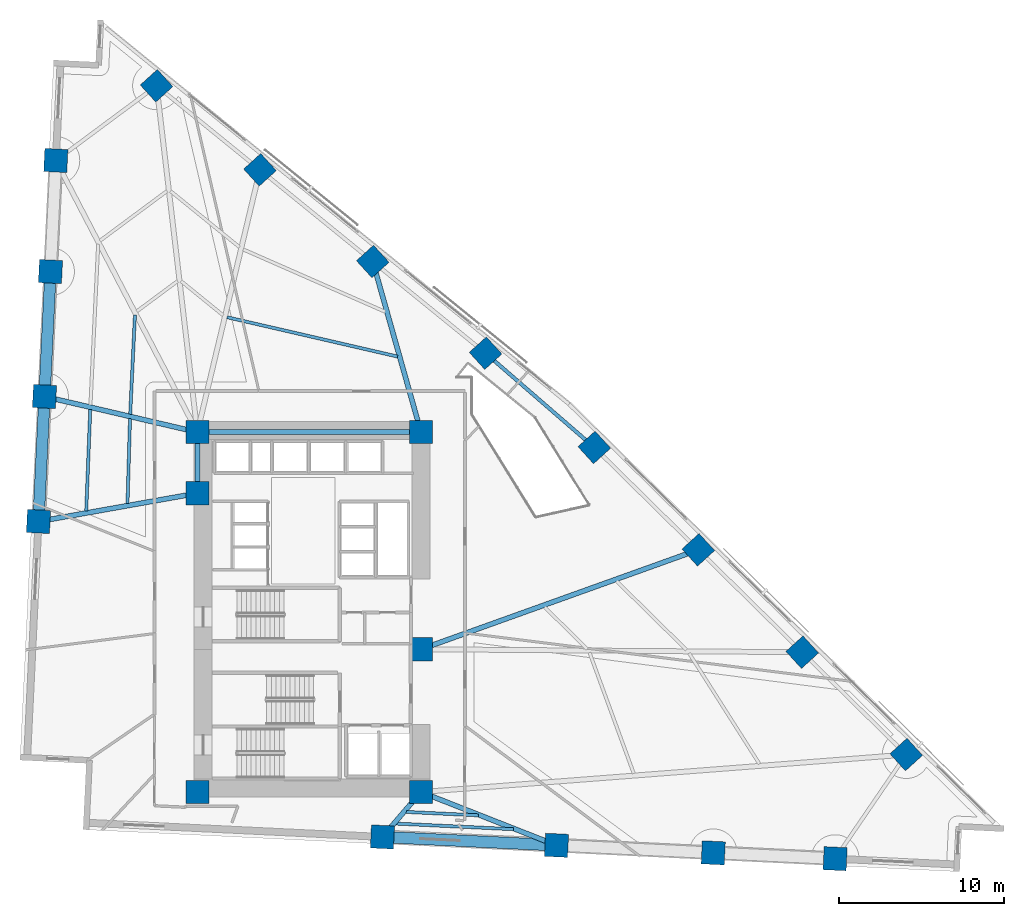
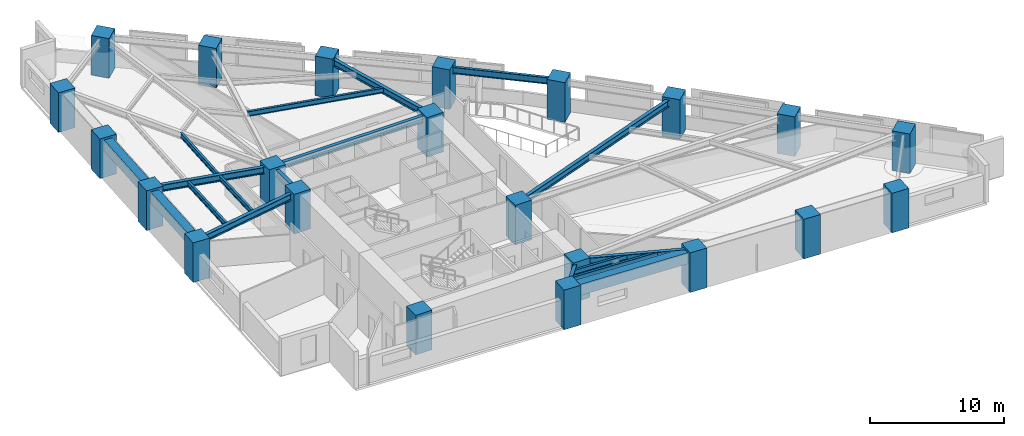
# One storey, part 1 of 17: 22 columns, 18 beams.
"""IFC4 building model written with IfcOpenShell, lengths in metres."""

from ifc_helpers import new_model, si_unit, direction, frame, origin, origin_2d, place, context, subcontext, project, spatial, rectangle, i_section, extrude, material, material_profile, profile_set, type_object, element, save


model = new_model("IFC4")

# Units and contexts
model_context = context("Model", 3, precision=1e-05, world=origin(), true_north=direction((0.0, 1.0)))
body_context = subcontext(model_context, "Body", "Model", "MODEL_VIEW")
ifc_project = project(units=[si_unit("LENGTHUNIT", "METRE"), si_unit("AREAUNIT", "SQUARE_METRE"), si_unit("VOLUMEUNIT", "CUBIC_METRE"), si_unit("PLANEANGLEUNIT", "RADIAN"), si_unit("MASSUNIT", "GRAM", prefix="KILO")], contexts=[model_context])

# Site, building, storey
site_placement = place(None, origin())
site = spatial("IfcSite", under=ifc_project, at=site_placement, CompositionType="ELEMENT")
building_placement = place(site_placement, origin())
building = spatial("IfcBuilding", under=site, at=building_placement, Name="Narakoshi Arena Tower", CompositionType="ELEMENT")
storey_placement = place(building_placement, frame((0.0, 0.0, 51.89990234375)))
storey = spatial("IfcBuildingStorey", under=building, at=storey_placement, Name="L13", CompositionType="ELEMENT", Elevation=51.89990234375)

# Columns
ifc_material_1 = material(Name="Concrete C60/75", Category="concrete")
ifc_material_profile_1 = material_profile(ifc_material_1, rectangle(XDim=1.39990234375, YDim=1.39990234375, at=origin_2d()), Name="RC1400x1400")
ifc_profile_set_1 = profile_set([ifc_material_profile_1], Name="Concrete C60/75")
column_type = type_object("IfcColumnType", Name="COL-RC1400", PredefinedType="COLUMN", material=ifc_profile_set_1)
for number, where, z_axis, x_axis, name in (
    (1, (72.0, 34.699951171875, 0.0), (0.0, 0.0, 1.0), (1.0, 0.0, 0.0), "L13 Core Structural Column CC1"),
    (2, (85.550048828125, 34.699951171875, 0.0), (0.0, 0.0, 1.0), (1.0, 0.0, 0.0), "L13 Core Structural Column CC2"),
    (3, (85.550048828125, 43.35009765625, 0.0), (0.0, 0.0, 1.0), (1.0, 0.0, 0.0), "L13 Core Structural Column CC3"),
    (4, (72.0, 52.800048828125, 0.0), (0.0, 0.0, 1.0), (1.0, 0.0, 0.0), "L13 Core Structural Column CC4"),
    (5, (72.0, 56.5, 0.0), (0.0, 0.0, 1.0), (1.0, 0.0, 0.0), "L13 Core Structural Column CC5"),
    (6, (85.550048828125, 56.5, 0.0), (0.0, 0.0, 1.0), (1.0, 0.0, 0.0), "L13 Core Structural Column CC6"),
    (7, (83.2119140625, 31.979248046875, 0.0), (0.0, 0.0, 1.0), (-0.998848386485, 0.047978128521, 0.0), "L13 Tower Perimeter Column TC01"),
    (8, (93.760009765625, 31.472412109375, 0.0), (0.0, 0.0, 1.0), (-0.998848386485, 0.047978128521, 0.0), "L13 Tower Perimeter Column TC02"),
    (9, (103.2529296875, 31.0166015625, 0.0), (0.0, 0.0, 1.0), (-0.998848386485, 0.047978128521, 0.0), "L13 Tower Perimeter Column TC03"),
    (10, (110.636474609375, 30.661865234375, 0.0), (0.0, 0.0, 1.0), (-0.998848386485, 0.047978128521, 0.0), "L13 Tower Perimeter Column TC04"),
    (11, (114.942138671875, 36.969970703125, 0.0), (0.0, 0.0, 1.0), (0.740218127487, 0.672366807435, 0.0), "L13 Tower Perimeter Column TC05"),
    (12, (108.643798828125, 43.171875, 0.0), (0.0, 0.0, 1.0), (0.740218127487, 0.672366807435, 0.0), "L13 Tower Perimeter Column TC06"),
    (13, (102.345458984375, 49.373779296875, 0.0), (0.0, 0.0, 1.0), (0.740218127487, 0.672366807435, 0.0), "L13 Tower Perimeter Column TC07"),
    (14, (96.047119140625, 55.57568359375, 0.0), (0.0, 0.0, 1.0), (0.740218127487, 0.672366807435, 0.0), "L13 Tower Perimeter Column TC08"),
    (15, (89.459716796875, 61.28515625, 0.0), (0.0, 0.0, 1.0), (0.740218127487, 0.672366807435, 0.0), "L13 Tower Perimeter Column TC09"),
    (16, (82.626953125, 66.838623046875, 0.0), (0.0, 0.0, 1.0), (0.740218127487, 0.672366807435, 0.0), "L13 Tower Perimeter Column TC10"),
    (17, (75.794189453125, 72.392333984375, 0.0), (0.0, 0.0, 1.0), (0.740218127487, 0.672366807435, 0.0), "L13 Tower Perimeter Column TC11"),
    (18, (69.531005859375, 77.483154296875, 0.0), (0.0, 0.0, 1.0), (0.740218127487, 0.672366807435, 0.0), "L13 Tower Perimeter Column TC12"),
    (19, (63.42822265625, 72.95654296875, 0.0), (0.0, 0.0, 1.0), (0.047978128521, 0.998848386485, 0.0), "L13 Tower Perimeter Column TC13"),
    (20, (63.10498046875, 66.228271484375, 0.0), (0.0, 0.0, 1.0), (0.047978128521, 0.998848386485, 0.0), "L13 Tower Perimeter Column TC14"),
    (21, (62.74169921875, 58.658935546875, 0.0), (0.0, 0.0, 1.0), (0.047978128521, 0.998848386485, 0.0), "L13 Tower Perimeter Column TC15"),
    (22, (62.3779296875, 51.08984375, 0.0), (0.0, 0.0, 1.0), (0.047978128521, 0.998848386485, 0.0), "L13 Tower Perimeter Column TC16"),
):
    element("IfcColumn", number, at=place(storey_placement, frame(where, z_axis=z_axis, x_axis=x_axis)), inside=storey, type_object=column_type, Name=name, PredefinedType="COLUMN", context=body_context, shape_type="SweptSolid", body=[
        extrude(rectangle(XDim=1.39990234375, YDim=1.39990234375, at=origin_2d()), origin(), (0.0, 0.0, 1.0), 3.60009765625),
    ])

# Beams
ifc_material_profile_2 = material_profile(ifc_material_1, rectangle(XDim=0.699951171875, YDim=1.0, at=origin_2d()), Name="RCB700x1000")
ifc_profile_set_2 = profile_set([ifc_material_profile_2], Name="Concrete C60/75")
beam_type_1 = type_object("IfcBeamType", Name="BM-CPL-1000", PredefinedType="BEAM", material=ifc_profile_set_2)
beam_1_placement = place(storey_placement, frame((83.2119140625, 31.979248046875, 2.900146484375), z_axis=(0.998847594152, -0.047994621119, 0.0), x_axis=(0.047994621119, 0.998847594152, 0.0)))
element("IfcBeam", 23, at=beam_1_placement, inside=storey, type_object=beam_type_1, Name="L13 Perimeter Edge Girder 01", PredefinedType="BEAM", context=body_context, shape_type="SweptSolid", body=[
    extrude(rectangle(XDim=0.699951171875, YDim=1.0, at=origin_2d()), origin(), (0.0, 0.0, 1.0), 10.560302734375),
])
beam_2_placement = place(storey_placement, frame((63.10498046875, 66.228271484375, 2.900146484375), z_axis=(-0.047938627957, -0.99885028305, 0.0), x_axis=(0.99885028305, -0.047938627957, 0.0)))
element("IfcBeam", 24, at=beam_2_placement, inside=storey, type_object=beam_type_1, Name="L13 Perimeter Edge Girder 14", PredefinedType="BEAM", context=body_context, shape_type="SweptSolid", body=[
    extrude(rectangle(XDim=0.699951171875, YDim=1.0, at=origin_2d()), origin(), (0.0, 0.0, 1.0), 7.578125),
])
beam_3_placement = place(storey_placement, frame((62.74169921875, 58.658935546875, 2.900146484375), z_axis=(-0.048004457986, -0.998847121442, 0.0), x_axis=(0.998847121442, -0.048004457986, 0.0)))
element("IfcBeam", 25, at=beam_3_placement, inside=storey, type_object=beam_type_1, Name="L13 Perimeter Edge Girder 15", PredefinedType="BEAM", context=body_context, shape_type="SweptSolid", body=[
    extrude(rectangle(XDim=0.699951171875, YDim=1.0, at=origin_2d()), origin(), (0.0, 0.0, 1.0), 7.577880859375),
])
ifc_material_2 = material(Name="Structural steel S355J2", Category="steel")
ifc_material_profile_3 = material_profile(ifc_material_2, i_section(OverallWidth=0.219970703125, OverallDepth=0.60009765625, WebThickness=0.011962890625, FlangeThickness=0.01904296875, FilletRadius=0.02392578125, at=origin_2d()), Name="IPE600")
ifc_profile_set_3 = profile_set([ifc_material_profile_3], Name="Structural steel S355J2")
beam_type_2 = type_object("IfcBeamType", Name="BM-EDGE-600", PredefinedType="BEAM", material=ifc_profile_set_3)
beam_4_placement = place(storey_placement, frame((96.047119140625, 55.57568359375, 3.10009765625), z_axis=(-0.755666904752, 0.654956127586, 0.0), x_axis=(-0.654956127586, -0.755666904752, 0.0)))
element("IfcBeam", 26, at=beam_4_placement, inside=storey, type_object=beam_type_2, Name="L13 Perimeter Edge Girder 08", PredefinedType="BEAM", context=body_context, shape_type="SweptSolid", body=[
    extrude(i_section(OverallWidth=0.219970703125, OverallDepth=0.60009765625, WebThickness=0.011962890625, FlangeThickness=0.01904296875, FilletRadius=0.02392578125, at=origin_2d()), origin(), (0.0, 0.0, 1.0), 8.71728515625),
])
ifc_material_profile_4 = material_profile(ifc_material_2, i_section(OverallWidth=0.300048828125, OverallDepth=0.60009765625, WebThickness=0.015380859375, FlangeThickness=0.030029296875, FilletRadius=0.027099609375, at=origin_2d()), Name="HE600B")
ifc_profile_set_4 = profile_set([ifc_material_profile_4], Name="Structural steel S355J2")
beam_type_3 = type_object("IfcBeamType", Name="BM-PRI-600", PredefinedType="BEAM", material=ifc_profile_set_4)
beam_5_placement = place(storey_placement, frame((85.550048828125, 34.699951171875, 3.10009765625), z_axis=(-0.651771636497, -0.75841527797, 0.0), x_axis=(0.75841527797, -0.651771636497, 0.0)))
element("IfcBeam", 27, at=beam_5_placement, inside=storey, type_object=beam_type_3, Name="L13 Radial Primary Floor Girder 01", PredefinedType="BEAM", context=body_context, shape_type="SweptSolid", body=[
    extrude(i_section(OverallWidth=0.300048828125, OverallDepth=0.60009765625, WebThickness=0.015380859375, FlangeThickness=0.030029296875, FilletRadius=0.027099609375, at=origin_2d()), origin(), (0.0, 0.0, 1.0), 3.58740234375),
])
beam_6_placement = place(storey_placement, frame((85.550048828125, 34.699951171875, 3.10009765625), z_axis=(0.930666699288, -0.365868138592, 0.0), x_axis=(0.365868138592, 0.930666699288, 0.0)))
element("IfcBeam", 28, at=beam_6_placement, inside=storey, type_object=beam_type_3, Name="L13 Radial Primary Floor Girder 02", PredefinedType="BEAM", context=body_context, shape_type="SweptSolid", body=[
    extrude(i_section(OverallWidth=0.300048828125, OverallDepth=0.60009765625, WebThickness=0.015380859375, FlangeThickness=0.030029296875, FilletRadius=0.027099609375, at=origin_2d()), origin(), (0.0, 0.0, 1.0), 8.821533203125),
])
beam_7_placement = place(storey_placement, frame((85.550048828125, 43.35009765625, 3.10009765625), z_axis=(0.941291582753, 0.337594662634, 0.0), x_axis=(-0.337594662634, 0.941291582753, 0.0)))
element("IfcBeam", 29, at=beam_7_placement, inside=storey, type_object=beam_type_3, Name="L13 Radial Primary Floor Girder 07", PredefinedType="BEAM", context=body_context, shape_type="SweptSolid", body=[
    extrude(i_section(OverallWidth=0.300048828125, OverallDepth=0.60009765625, WebThickness=0.015380859375, FlangeThickness=0.030029296875, FilletRadius=0.027099609375, at=origin_2d()), origin(), (0.0, 0.0, 1.0), 17.843017578125),
])
beam_8_placement = place(storey_placement, frame((85.550048828125, 56.5, 3.10009765625), z_axis=(-0.272069994974, 0.962277464058, 0.0), x_axis=(-0.962277464058, -0.272069994974, 0.0)))
element("IfcBeam", 30, at=beam_8_placement, inside=storey, type_object=beam_type_3, Name="L13 Radial Primary Floor Girder 10", PredefinedType="BEAM", context=body_context, shape_type="SweptSolid", body=[
    extrude(i_section(OverallWidth=0.300048828125, OverallDepth=0.60009765625, WebThickness=0.015380859375, FlangeThickness=0.030029296875, FilletRadius=0.027099609375, at=origin_2d()), origin(), (0.0, 0.0, 1.0), 10.743896484375),
])
beam_9_placement = place(storey_placement, frame((72.0, 56.5, 3.10009765625), z_axis=(-0.973872266719, 0.227096473145, 0.0), x_axis=(-0.227096473145, -0.973872266719, 0.0)))
element("IfcBeam", 31, at=beam_9_placement, inside=storey, type_object=beam_type_3, Name="L13 Radial Primary Floor Girder 15", PredefinedType="BEAM", context=body_context, shape_type="SweptSolid", body=[
    extrude(i_section(OverallWidth=0.300048828125, OverallDepth=0.60009765625, WebThickness=0.015380859375, FlangeThickness=0.030029296875, FilletRadius=0.027099609375, at=origin_2d()), origin(), (0.0, 0.0, 1.0), 9.506591796875),
])
beam_10_placement = place(storey_placement, frame((72.0, 52.800048828125, 3.10009765625), z_axis=(-0.984569299514, -0.174995126944, 0.0), x_axis=(0.174995126944, -0.984569299514, 0.0)))
element("IfcBeam", 32, at=beam_10_placement, inside=storey, type_object=beam_type_3, Name="L13 Radial Primary Floor Girder 16", PredefinedType="BEAM", context=body_context, shape_type="SweptSolid", body=[
    extrude(i_section(OverallWidth=0.300048828125, OverallDepth=0.60009765625, WebThickness=0.015380859375, FlangeThickness=0.030029296875, FilletRadius=0.027099609375, at=origin_2d()), origin(), (0.0, 0.0, 1.0), 9.77294921875),
])
beam_11_placement = place(storey_placement, frame((72.0, 52.800048828125, 3.10009765625), z_axis=(0.0, 1.0, 0.0), x_axis=(-1.0, 0.0, 0.0)))
element("IfcBeam", 33, at=beam_11_placement, inside=storey, type_object=beam_type_3, Name="L13 Core Perimeter Frame Beam CC4-CC5", PredefinedType="BEAM", context=body_context, shape_type="SweptSolid", body=[
    extrude(i_section(OverallWidth=0.300048828125, OverallDepth=0.60009765625, WebThickness=0.015380859375, FlangeThickness=0.030029296875, FilletRadius=0.027099609375, at=origin_2d()), origin(), (0.0, 0.0, 1.0), 3.699951171875),
])
beam_12_placement = place(storey_placement, frame((72.0, 56.5, 3.10009765625), z_axis=(1.0, 0.0, 0.0), x_axis=(0.0, 1.0, 0.0)))
element("IfcBeam", 34, at=beam_12_placement, inside=storey, type_object=beam_type_3, Name="L13 Core Perimeter Frame Beam CC5-CC6", PredefinedType="BEAM", context=body_context, shape_type="SweptSolid", body=[
    extrude(i_section(OverallWidth=0.300048828125, OverallDepth=0.60009765625, WebThickness=0.015380859375, FlangeThickness=0.030029296875, FilletRadius=0.027099609375, at=origin_2d()), origin(), (0.0, 0.0, 1.0), 13.550048828125),
])
ifc_material_profile_5 = material_profile(ifc_material_2, i_section(OverallWidth=0.18994140625, OverallDepth=0.449951171875, WebThickness=0.009521484375, FlangeThickness=0.0146484375, FilletRadius=0.02099609375, at=origin_2d()), Name="IPE450")
ifc_profile_set_5 = profile_set([ifc_material_profile_5], Name="Structural steel S355J2")
beam_type_4 = type_object("IfcBeamType", Name="BM-SEC-450", PredefinedType="JOIST", material=ifc_profile_set_5)
beam_13_placement = place(storey_placement, frame((84.656005859375, 33.496337890625, 3.175048828125), z_axis=(0.998848618666, -0.047973294541, 0.0), x_axis=(0.047973294541, 0.998848618666, 0.0)))
element("IfcBeam", 35, at=beam_13_placement, inside=storey, type_object=beam_type_4, Name="L13 Composite Secondary Floor Joist 01", PredefinedType="JOIST", context=body_context, shape_type="SweptSolid", body=[
    extrude(i_section(OverallWidth=0.18994140625, OverallDepth=0.449951171875, WebThickness=0.009521484375, FlangeThickness=0.0146484375, FilletRadius=0.02099609375, at=origin_2d()), origin(), (0.0, 0.0, 1.0), 4.376708984375),
])
beam_14_placement = place(storey_placement, frame((84.048095703125, 32.7890625, 3.175048828125), z_axis=(0.998847805769, -0.047990216825, 0.0), x_axis=(0.047990216825, 0.998847805769, 0.0)))
element("IfcBeam", 36, at=beam_14_placement, inside=storey, type_object=beam_type_4, Name="L13 Composite Secondary Floor Joist 02", PredefinedType="JOIST", context=body_context, shape_type="SweptSolid", body=[
    extrude(i_section(OverallWidth=0.18994140625, OverallDepth=0.449951171875, WebThickness=0.009521484375, FlangeThickness=0.0146484375, FilletRadius=0.02099609375, at=origin_2d()), origin(), (0.0, 0.0, 1.0), 7.122314453125),
])
beam_15_placement = place(storey_placement, frame((84.13232421875, 61.079345703125, 3.175048828125), z_axis=(-0.974413699893, 0.224761966223, 0.0), x_axis=(-0.224761966223, -0.974413699893, 0.0)))
element("IfcBeam", 37, at=beam_15_placement, inside=storey, type_object=beam_type_4, Name="L13 Composite Secondary Floor Joist 07", PredefinedType="JOIST", context=body_context, shape_type="SweptSolid", body=[
    extrude(i_section(OverallWidth=0.18994140625, OverallDepth=0.449951171875, WebThickness=0.009521484375, FlangeThickness=0.0146484375, FilletRadius=0.02099609375, at=origin_2d()), origin(), (0.0, 0.0, 1.0), 10.6025390625),
])
beam_16_placement = place(storey_placement, frame((68.221923828125, 63.606201171875, 3.175048828125), z_axis=(-0.047949971232, -0.998849738579, 0.0), x_axis=(0.998849738579, -0.047949971232, 0.0)))
element("IfcBeam", 38, at=beam_16_placement, inside=storey, type_object=beam_type_4, Name="L13 Composite Secondary Floor Joist 13", PredefinedType="JOIST", context=body_context, shape_type="SweptSolid", body=[
    extrude(i_section(OverallWidth=0.18994140625, OverallDepth=0.449951171875, WebThickness=0.009521484375, FlangeThickness=0.0146484375, FilletRadius=0.02099609375, at=origin_2d()), origin(), (0.0, 0.0, 1.0), 6.0283203125),
])
beam_17_placement = place(storey_placement, frame((67.92236328125, 57.31494140625, 3.175048828125), z_axis=(-0.029622614356, -0.999561154066, 0.0), x_axis=(0.999561154066, -0.029622614356, 0.0)))
element("IfcBeam", 39, at=beam_17_placement, inside=storey, type_object=beam_type_4, Name="L13 Composite Secondary Floor Joist 15", PredefinedType="JOIST", context=body_context, shape_type="SweptSolid", body=[
    extrude(i_section(OverallWidth=0.18994140625, OverallDepth=0.449951171875, WebThickness=0.009521484375, FlangeThickness=0.0146484375, FilletRadius=0.02099609375, at=origin_2d()), origin(), (0.0, 0.0, 1.0), 5.134521484375),
])
beam_18_placement = place(storey_placement, frame((65.513916015625, 57.87646484375, 3.175048828125), z_axis=(-0.039699826578, -0.999211651138, 0.0), x_axis=(0.999211651138, -0.039699826578, 0.0)))
element("IfcBeam", 40, at=beam_18_placement, inside=storey, type_object=beam_type_4, Name="L13 Composite Secondary Floor Joist 16", PredefinedType="JOIST", context=body_context, shape_type="SweptSolid", body=[
    extrude(i_section(OverallWidth=0.18994140625, OverallDepth=0.449951171875, WebThickness=0.009521484375, FlangeThickness=0.0146484375, FilletRadius=0.02099609375, at=origin_2d()), origin(), (0.0, 0.0, 1.0), 6.1435546875),
])

save(model, "model.ifc")
